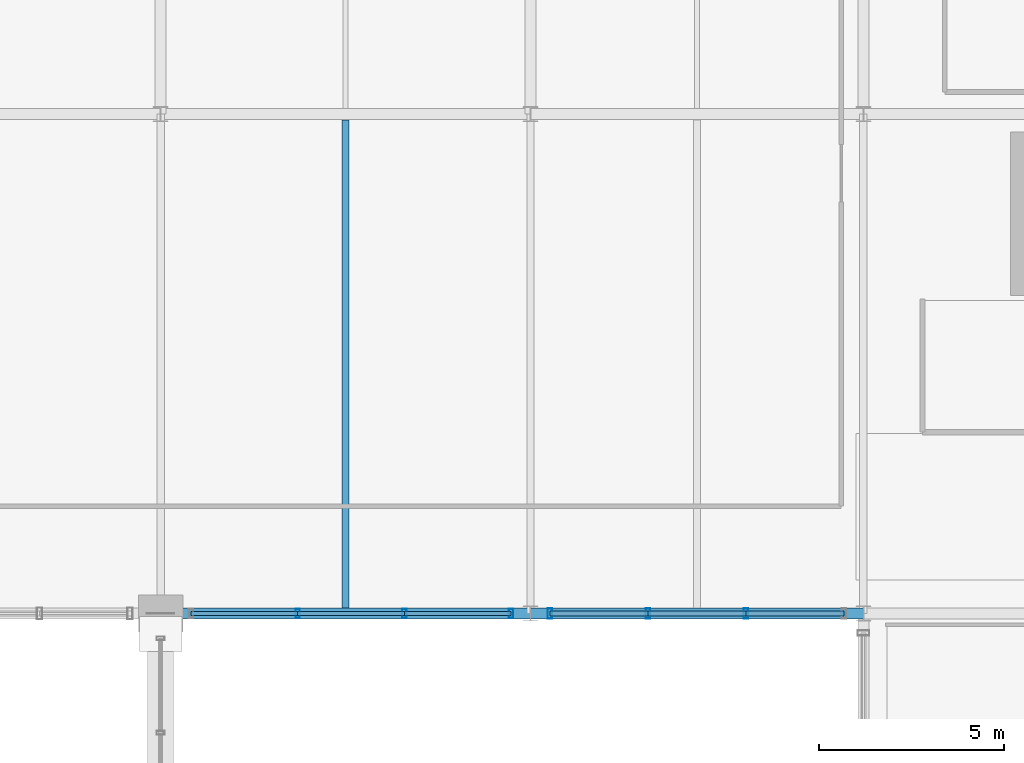
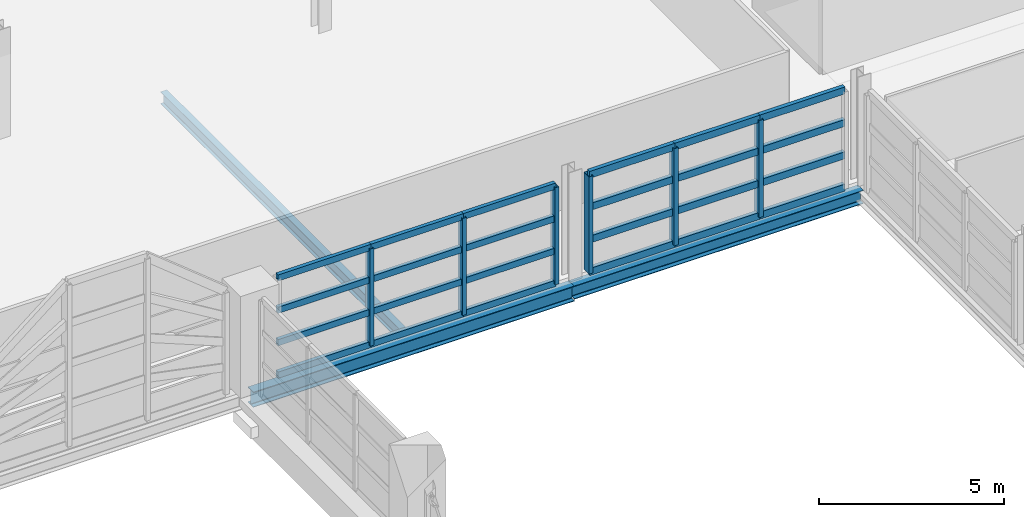
# One storey, part 74 of 116: 30 members, 3 beams, 2 elements without a shape of their own.
"""IFC4 building model written with IfcOpenShell, lengths in metres."""

from ifc_helpers import new_model, si_unit, direction, frame, origin, origin_2d, place, context, subcontext, project, spatial, hollow_rectangle, i_section, extrude, material, material_profile, profile_set, type_object, element, aggregate, save


model = new_model("IFC4")

# Units and contexts
model_context = context("Model", 3, precision=1e-05, world=origin(), true_north=direction((0.0, 1.0)))
body_context = subcontext(model_context, "Body", "Model", "MODEL_VIEW")
ifc_project = project(units=[si_unit("LENGTHUNIT", "METRE"), si_unit("AREAUNIT", "SQUARE_METRE"), si_unit("VOLUMEUNIT", "CUBIC_METRE"), si_unit("PLANEANGLEUNIT", "RADIAN"), si_unit("MASSUNIT", "GRAM", prefix="KILO")], contexts=[model_context])

# Site, building, storey
site_placement = place(None, origin())
site = spatial("IfcSite", under=ifc_project, at=site_placement, CompositionType="ELEMENT")
building_placement = place(site_placement, origin())
building = spatial("IfcBuilding", under=site, at=building_placement, Name="Chuanluo Vaults Station", CompositionType="ELEMENT")
storey_placement = place(building_placement, frame((0.0, 0.0, 10.800048828125)))
storey = spatial("IfcBuildingStorey", under=building, at=storey_placement, Name="L02", CompositionType="ELEMENT", Elevation=10.800048828125)

# Beams
ifc_material_1 = material(Name="Steel Q355C", Category="steel")
ifc_material_profile_1 = material_profile(ifc_material_1, i_section(OverallWidth=0.300048828125, OverallDepth=0.43994140625, WebThickness=0.010986328125, FlangeThickness=0.01806640625, FilletRadius=0.02001953125, at=origin_2d()))
ifc_profile_set_1 = profile_set([ifc_material_profile_1], Name="Steel Q355C")
beam_type_1 = type_object("IfcBeamType", Name="BM-GRD-450", PredefinedType="USERDEFINED", material=ifc_profile_set_1)
beam_1_placement = place(storey_placement, frame((136.0, 103.5, -0.43994140625), z_axis=(1.0, 0.0, 0.0), x_axis=(0.0, 1.0, 0.0)))
element("IfcBeam", 1, at=beam_1_placement, inside=storey, type_object=beam_type_1, Name="Floor girder BM:GX:L02:0599", ObjectType="GIRDER", PredefinedType="USERDEFINED", context=body_context, shape_type="SweptSolid", body=[
    extrude(i_section(OverallWidth=0.300048828125, OverallDepth=0.43994140625, WebThickness=0.010986328125, FlangeThickness=0.01806640625, FilletRadius=0.02001953125, at=origin_2d()), origin(), (0.0, 0.0, 1.0), 9.0),
])
ifc_material_2 = material(Name="Steel Q355C", Category="steel")
ifc_material_profile_2 = material_profile(ifc_material_2, i_section(OverallWidth=0.300048828125, OverallDepth=0.5, WebThickness=0.010986328125, FlangeThickness=0.01806640625, FilletRadius=0.02001953125, at=origin_2d()))
ifc_profile_set_2 = profile_set([ifc_material_profile_2], Name="Steel Q355C")
beam_type_2 = type_object("IfcBeamType", Name="BM-GRD-500", PredefinedType="USERDEFINED", material=ifc_profile_set_2)
beam_2_placement = place(storey_placement, frame((126.0, 103.5, -0.469970703125), z_axis=(1.0, 0.0, 0.0), x_axis=(0.0, 1.0, 0.0)))
element("IfcBeam", 2, at=beam_2_placement, inside=storey, type_object=beam_type_2, Name="Floor girder BM:GX:L02:0598", ObjectType="GIRDER", PredefinedType="USERDEFINED", context=body_context, shape_type="SweptSolid", body=[
    extrude(i_section(OverallWidth=0.300048828125, OverallDepth=0.5, WebThickness=0.010986328125, FlangeThickness=0.01806640625, FilletRadius=0.02001953125, at=origin_2d()), origin(), (0.0, 0.0, 1.0), 10.0),
])
ifc_material_3 = material(Name="Steel Q355C", Category="steel")
ifc_material_profile_3 = material_profile(ifc_material_3, i_section(OverallWidth=0.199951171875, OverallDepth=0.39990234375, WebThickness=0.008056640625, FlangeThickness=0.012939453125, FilletRadius=0.01611328125, at=origin_2d()))
ifc_profile_set_3 = profile_set([ifc_material_profile_3], Name="Steel Q355C")
beam_type_3 = type_object("IfcBeamType", Name="BM-SEC-400", PredefinedType="BEAM", material=ifc_profile_set_3)
beam_3_placement = place(storey_placement, frame((131.0, 103.655029296875, -0.420166015625), z_axis=(0.0, 1.0, 0.0), x_axis=(-1.0, 0.0, 0.0)))
element("IfcBeam", 3, at=beam_3_placement, inside=storey, type_object=beam_type_3, Name="Composite secondary joist 0191", PredefinedType="BEAM", context=body_context, shape_type="SweptSolid", body=[
    extrude(i_section(OverallWidth=0.199951171875, OverallDepth=0.39990234375, WebThickness=0.008056640625, FlangeThickness=0.012939453125, FilletRadius=0.01611328125, at=origin_2d()), origin(), (0.0, 0.0, 1.0), 13.18994140625),
])

# Curtain wall, members
ifc_material_4 = material(Name="Anodised aluminium 6063-T6", Category="aluminium")
curtain_wall_type_1 = type_object("IfcCurtainWallType", Name="CW-SYS-07", PredefinedType="NOTDEFINED", material=ifc_material_4)
curtain_wall_1_placement = place(storey_placement, origin())
curtain_wall_1 = element("IfcCurtainWall", 4, at=curtain_wall_1_placement, inside=storey, type_object=curtain_wall_type_1, Name="Operations L02 facade CW part 2", PredefinedType="NOTDEFINED")
ifc_material_5 = material(Name="Anodised aluminium 6063-T6", Category="aluminium")
ifc_material_profile_4 = material_profile(ifc_material_5, hollow_rectangle(XDim=0.1201171875, YDim=0.25, WallThickness=0.006103515625, at=origin_2d()))
ifc_profile_set_4 = profile_set([ifc_material_profile_4], Name="Anodised aluminium 6063-T6")
member_type_1 = type_object("IfcMemberType", Name="CWM-160", PredefinedType="MULLION", material=ifc_profile_set_4)
member_1_placement = place(storey_placement, frame((135.47509765625, 103.5, 0.0), z_axis=(0.0, 0.0, 1.0), x_axis=(-1.0, 0.0, 0.0)))
member_1 = element("IfcMember", 5, at=member_1_placement, type_object=member_type_1, Name="Operations L02 facade CW part 2 mullion 1", PredefinedType="MULLION", context=body_context, shape_type="SweptSolid", body=[
    extrude(hollow_rectangle(XDim=0.1201171875, YDim=0.25, WallThickness=0.006103515625, at=origin_2d()), origin(), (0.0, 0.0, 1.0), 3.199951171875),
])
member_2_placement = place(storey_placement, frame((132.591796875, 103.5, 0.0), z_axis=(0.0, 0.0, 1.0), x_axis=(-1.0, 0.0, 0.0)))
member_2 = element("IfcMember", 6, at=member_2_placement, type_object=member_type_1, Name="Operations L02 facade CW part 2 mullion 2", PredefinedType="MULLION", context=body_context, shape_type="SweptSolid", body=[
    extrude(hollow_rectangle(XDim=0.1201171875, YDim=0.25, WallThickness=0.006103515625, at=origin_2d()), origin(), (0.0, 0.0, 1.0), 3.199951171875),
])
member_3_placement = place(storey_placement, frame((129.708251953125, 103.5, 0.0), z_axis=(0.0, 0.0, 1.0), x_axis=(-1.0, 0.0, 0.0)))
member_3 = element("IfcMember", 7, at=member_3_placement, type_object=member_type_1, Name="Operations L02 facade CW part 2 mullion 3", PredefinedType="MULLION", context=body_context, shape_type="SweptSolid", body=[
    extrude(hollow_rectangle(XDim=0.1201171875, YDim=0.25, WallThickness=0.006103515625, at=origin_2d()), origin(), (0.0, 0.0, 1.0), 3.199951171875),
])

ifc_material_6 = material(Name="Anodised aluminium 6063-T6", Category="aluminium")
curtain_wall_type_2 = type_object("IfcCurtainWallType", Name="CW-SYS-06", PredefinedType="NOTDEFINED", material=ifc_material_6)
curtain_wall_2_placement = place(storey_placement, origin())
curtain_wall_2 = element("IfcCurtainWall", 8, at=curtain_wall_2_placement, inside=storey, type_object=curtain_wall_type_2, Name="Operations L02 facade CW part 1", PredefinedType="NOTDEFINED")
ifc_material_7 = material(Name="Anodised aluminium 6063-T6", Category="aluminium")
ifc_material_profile_5 = material_profile(ifc_material_7, hollow_rectangle(XDim=0.1298828125, YDim=0.280029296875, WallThickness=0.007080078125, at=origin_2d()))
ifc_profile_set_5 = profile_set([ifc_material_profile_5], Name="Anodised aluminium 6063-T6")
member_type_2 = type_object("IfcMemberType", Name="CWM-180", PredefinedType="MULLION", material=ifc_profile_set_5)
member_4_placement = place(storey_placement, frame((141.824951171875, 103.5, 0.0), z_axis=(0.0, 0.0, 1.0), x_axis=(-1.0, 0.0, 0.0)))
member_4 = element("IfcMember", 9, at=member_4_placement, type_object=member_type_2, Name="Operations L02 facade CW part 1 mullion 2", PredefinedType="MULLION", context=body_context, shape_type="SweptSolid", body=[
    extrude(hollow_rectangle(XDim=0.1298828125, YDim=0.280029296875, WallThickness=0.007080078125, at=origin_2d()), origin(), (0.0, 0.0, 1.0), 3.199951171875),
])
member_5_placement = place(storey_placement, frame((139.175048828125, 103.5, 0.0), z_axis=(0.0, 0.0, 1.0), x_axis=(-1.0, 0.0, 0.0)))
member_5 = element("IfcMember", 10, at=member_5_placement, type_object=member_type_2, Name="Operations L02 facade CW part 1 mullion 3", PredefinedType="MULLION", context=body_context, shape_type="SweptSolid", body=[
    extrude(hollow_rectangle(XDim=0.1298828125, YDim=0.280029296875, WallThickness=0.007080078125, at=origin_2d()), origin(), (0.0, 0.0, 1.0), 3.199951171875),
])
member_6_placement = place(storey_placement, frame((136.52490234375, 103.5, 0.0), z_axis=(0.0, 0.0, 1.0), x_axis=(-1.0, 0.0, 0.0)))
member_6 = element("IfcMember", 11, at=member_6_placement, type_object=member_type_2, Name="Operations L02 facade CW part 1 mullion 4", PredefinedType="MULLION", context=body_context, shape_type="SweptSolid", body=[
    extrude(hollow_rectangle(XDim=0.1298828125, YDim=0.280029296875, WallThickness=0.007080078125, at=origin_2d()), origin(), (0.0, 0.0, 1.0), 3.199951171875),
])

# Member
ifc_material_8 = material(Name="Anodised aluminium 6063-T6", Category="aluminium")
ifc_material_profile_6 = material_profile(ifc_material_8, hollow_rectangle(XDim=0.1201171875, YDim=0.205078125, WallThickness=0.006103515625, at=origin_2d()))
ifc_profile_set_6 = profile_set([ifc_material_profile_6], Name="Anodised aluminium 6063-T6")
member_type_3 = type_object("IfcMemberType", Name="CWT-130", PredefinedType="USERDEFINED", material=ifc_profile_set_6)
member_7_placement = place(storey_placement, frame((135.47509765625, 103.5, 0.0), z_axis=(-1.0, 0.0, 0.0), x_axis=(0.0, -1.0, 0.0)))
member_7 = element("IfcMember", 12, at=member_7_placement, type_object=member_type_3, Name="Operations L02 facade CW part 2 transom 1.1", ObjectType="TRANSOM", PredefinedType="USERDEFINED", context=body_context, shape_type="SweptSolid", body=[
    extrude(hollow_rectangle(XDim=0.1201171875, YDim=0.205078125, WallThickness=0.006103515625, at=origin_2d()), origin(), (0.0, 0.0, 1.0), 2.88330078125),
])

member_8_placement = place(storey_placement, frame((135.47509765625, 103.5, 1.066650390625), z_axis=(-1.0, 0.0, 0.0), x_axis=(0.0, -1.0, 0.0)))
member_8 = element("IfcMember", 13, at=member_8_placement, type_object=member_type_3, Name="Operations L02 facade CW part 2 transom 1.2", ObjectType="TRANSOM", PredefinedType="USERDEFINED", context=body_context, shape_type="SweptSolid", body=[
    extrude(hollow_rectangle(XDim=0.1201171875, YDim=0.205078125, WallThickness=0.006103515625, at=origin_2d()), origin(), (0.0, 0.0, 1.0), 2.88330078125),
])

member_9_placement = place(storey_placement, frame((135.47509765625, 103.5, 2.13330078125), z_axis=(-1.0, 0.0, 0.0), x_axis=(0.0, -1.0, 0.0)))
member_9 = element("IfcMember", 14, at=member_9_placement, type_object=member_type_3, Name="Operations L02 facade CW part 2 transom 1.3", ObjectType="TRANSOM", PredefinedType="USERDEFINED", context=body_context, shape_type="SweptSolid", body=[
    extrude(hollow_rectangle(XDim=0.1201171875, YDim=0.205078125, WallThickness=0.006103515625, at=origin_2d()), origin(), (0.0, 0.0, 1.0), 2.88330078125),
])

member_10_placement = place(storey_placement, frame((135.47509765625, 103.5, 3.199951171875), z_axis=(-1.0, 0.0, 0.0), x_axis=(0.0, -1.0, 0.0)))
member_10 = element("IfcMember", 15, at=member_10_placement, type_object=member_type_3, Name="Operations L02 facade CW part 2 transom 1.4", ObjectType="TRANSOM", PredefinedType="USERDEFINED", context=body_context, shape_type="SweptSolid", body=[
    extrude(hollow_rectangle(XDim=0.1201171875, YDim=0.205078125, WallThickness=0.006103515625, at=origin_2d()), origin(), (0.0, 0.0, 1.0), 2.88330078125),
])

member_11_placement = place(storey_placement, frame((132.591796875, 103.5, 0.0), z_axis=(-1.0, 0.0, 0.0), x_axis=(0.0, -1.0, 0.0)))
member_11 = element("IfcMember", 16, at=member_11_placement, type_object=member_type_3, Name="Operations L02 facade CW part 2 transom 2.1", ObjectType="TRANSOM", PredefinedType="USERDEFINED", context=body_context, shape_type="SweptSolid", body=[
    extrude(hollow_rectangle(XDim=0.1201171875, YDim=0.205078125, WallThickness=0.006103515625, at=origin_2d()), origin(), (0.0, 0.0, 1.0), 2.883544921875),
])

member_12_placement = place(storey_placement, frame((132.591796875, 103.5, 1.066650390625), z_axis=(-1.0, 0.0, 0.0), x_axis=(0.0, -1.0, 0.0)))
member_12 = element("IfcMember", 17, at=member_12_placement, type_object=member_type_3, Name="Operations L02 facade CW part 2 transom 2.2", ObjectType="TRANSOM", PredefinedType="USERDEFINED", context=body_context, shape_type="SweptSolid", body=[
    extrude(hollow_rectangle(XDim=0.1201171875, YDim=0.205078125, WallThickness=0.006103515625, at=origin_2d()), origin(), (0.0, 0.0, 1.0), 2.883544921875),
])

member_13_placement = place(storey_placement, frame((132.591796875, 103.5, 2.13330078125), z_axis=(-1.0, 0.0, 0.0), x_axis=(0.0, -1.0, 0.0)))
member_13 = element("IfcMember", 18, at=member_13_placement, type_object=member_type_3, Name="Operations L02 facade CW part 2 transom 2.3", ObjectType="TRANSOM", PredefinedType="USERDEFINED", context=body_context, shape_type="SweptSolid", body=[
    extrude(hollow_rectangle(XDim=0.1201171875, YDim=0.205078125, WallThickness=0.006103515625, at=origin_2d()), origin(), (0.0, 0.0, 1.0), 2.883544921875),
])

member_14_placement = place(storey_placement, frame((132.591796875, 103.5, 3.199951171875), z_axis=(-1.0, 0.0, 0.0), x_axis=(0.0, -1.0, 0.0)))
member_14 = element("IfcMember", 19, at=member_14_placement, type_object=member_type_3, Name="Operations L02 facade CW part 2 transom 2.4", ObjectType="TRANSOM", PredefinedType="USERDEFINED", context=body_context, shape_type="SweptSolid", body=[
    extrude(hollow_rectangle(XDim=0.1201171875, YDim=0.205078125, WallThickness=0.006103515625, at=origin_2d()), origin(), (0.0, 0.0, 1.0), 2.883544921875),
])

member_15_placement = place(storey_placement, frame((129.708251953125, 103.5, 0.0), z_axis=(-1.0, 0.0, 0.0), x_axis=(0.0, -1.0, 0.0)))
member_15 = element("IfcMember", 20, at=member_15_placement, type_object=member_type_3, Name="Operations L02 facade CW part 2 transom 3.1", ObjectType="TRANSOM", PredefinedType="USERDEFINED", context=body_context, shape_type="SweptSolid", body=[
    extrude(hollow_rectangle(XDim=0.1201171875, YDim=0.205078125, WallThickness=0.006103515625, at=origin_2d()), origin(), (0.0, 0.0, 1.0), 2.88330078125),
])

member_16_placement = place(storey_placement, frame((129.708251953125, 103.5, 1.066650390625), z_axis=(-1.0, 0.0, 0.0), x_axis=(0.0, -1.0, 0.0)))
member_16 = element("IfcMember", 21, at=member_16_placement, type_object=member_type_3, Name="Operations L02 facade CW part 2 transom 3.2", ObjectType="TRANSOM", PredefinedType="USERDEFINED", context=body_context, shape_type="SweptSolid", body=[
    extrude(hollow_rectangle(XDim=0.1201171875, YDim=0.205078125, WallThickness=0.006103515625, at=origin_2d()), origin(), (0.0, 0.0, 1.0), 2.88330078125),
])

member_17_placement = place(storey_placement, frame((129.708251953125, 103.5, 2.13330078125), z_axis=(-1.0, 0.0, 0.0), x_axis=(0.0, -1.0, 0.0)))
member_17 = element("IfcMember", 22, at=member_17_placement, type_object=member_type_3, Name="Operations L02 facade CW part 2 transom 3.3", ObjectType="TRANSOM", PredefinedType="USERDEFINED", context=body_context, shape_type="SweptSolid", body=[
    extrude(hollow_rectangle(XDim=0.1201171875, YDim=0.205078125, WallThickness=0.006103515625, at=origin_2d()), origin(), (0.0, 0.0, 1.0), 2.88330078125),
])

member_18_placement = place(storey_placement, frame((129.708251953125, 103.5, 3.199951171875), z_axis=(-1.0, 0.0, 0.0), x_axis=(0.0, -1.0, 0.0)))
member_18 = element("IfcMember", 23, at=member_18_placement, type_object=member_type_3, Name="Operations L02 facade CW part 2 transom 3.4", ObjectType="TRANSOM", PredefinedType="USERDEFINED", context=body_context, shape_type="SweptSolid", body=[
    extrude(hollow_rectangle(XDim=0.1201171875, YDim=0.205078125, WallThickness=0.006103515625, at=origin_2d()), origin(), (0.0, 0.0, 1.0), 2.88330078125),
])

aggregate(curtain_wall_1, [member_1, member_2, member_3, member_7, member_8, member_9, member_10, member_11, member_12, member_13, member_14, member_15, member_16, member_17, member_18])

ifc_material_9 = material(Name="Anodised aluminium 6063-T6", Category="aluminium")
ifc_material_profile_7 = material_profile(ifc_material_9, hollow_rectangle(XDim=0.1298828125, YDim=0.22998046875, WallThickness=0.006103515625, at=origin_2d()))
ifc_profile_set_7 = profile_set([ifc_material_profile_7], Name="Anodised aluminium 6063-T6")
member_type_4 = type_object("IfcMemberType", Name="CWT-150", PredefinedType="USERDEFINED", material=ifc_profile_set_7)
member_19_placement = place(storey_placement, frame((144.47509765625, 103.5, 0.0), z_axis=(-1.0, 0.0, 0.0), x_axis=(0.0, -1.0, 0.0)))
member_19 = element("IfcMember", 24, at=member_19_placement, type_object=member_type_4, Name="Operations L02 facade CW part 1 transom 1.1", ObjectType="TRANSOM", PredefinedType="USERDEFINED", context=body_context, shape_type="SweptSolid", body=[
    extrude(hollow_rectangle(XDim=0.1298828125, YDim=0.22998046875, WallThickness=0.006103515625, at=origin_2d()), origin(), (0.0, 0.0, 1.0), 2.650146484375),
])

member_20_placement = place(storey_placement, frame((144.47509765625, 103.5, 1.066650390625), z_axis=(-1.0, 0.0, 0.0), x_axis=(0.0, -1.0, 0.0)))
member_20 = element("IfcMember", 25, at=member_20_placement, type_object=member_type_4, Name="Operations L02 facade CW part 1 transom 1.2", ObjectType="TRANSOM", PredefinedType="USERDEFINED", context=body_context, shape_type="SweptSolid", body=[
    extrude(hollow_rectangle(XDim=0.1298828125, YDim=0.22998046875, WallThickness=0.006103515625, at=origin_2d()), origin(), (0.0, 0.0, 1.0), 2.650146484375),
])

member_21_placement = place(storey_placement, frame((144.47509765625, 103.5, 2.13330078125), z_axis=(-1.0, 0.0, 0.0), x_axis=(0.0, -1.0, 0.0)))
member_21 = element("IfcMember", 26, at=member_21_placement, type_object=member_type_4, Name="Operations L02 facade CW part 1 transom 1.3", ObjectType="TRANSOM", PredefinedType="USERDEFINED", context=body_context, shape_type="SweptSolid", body=[
    extrude(hollow_rectangle(XDim=0.1298828125, YDim=0.22998046875, WallThickness=0.006103515625, at=origin_2d()), origin(), (0.0, 0.0, 1.0), 2.650146484375),
])

member_22_placement = place(storey_placement, frame((144.47509765625, 103.5, 3.199951171875), z_axis=(-1.0, 0.0, 0.0), x_axis=(0.0, -1.0, 0.0)))
member_22 = element("IfcMember", 27, at=member_22_placement, type_object=member_type_4, Name="Operations L02 facade CW part 1 transom 1.4", ObjectType="TRANSOM", PredefinedType="USERDEFINED", context=body_context, shape_type="SweptSolid", body=[
    extrude(hollow_rectangle(XDim=0.1298828125, YDim=0.22998046875, WallThickness=0.006103515625, at=origin_2d()), origin(), (0.0, 0.0, 1.0), 2.650146484375),
])

member_23_placement = place(storey_placement, frame((141.824951171875, 103.5, 0.0), z_axis=(-1.0, 0.0, 0.0), x_axis=(0.0, -1.0, 0.0)))
member_23 = element("IfcMember", 28, at=member_23_placement, type_object=member_type_4, Name="Operations L02 facade CW part 1 transom 2.1", ObjectType="TRANSOM", PredefinedType="USERDEFINED", context=body_context, shape_type="SweptSolid", body=[
    extrude(hollow_rectangle(XDim=0.1298828125, YDim=0.22998046875, WallThickness=0.006103515625, at=origin_2d()), origin(), (0.0, 0.0, 1.0), 2.64990234375),
])

member_24_placement = place(storey_placement, frame((141.824951171875, 103.5, 1.066650390625), z_axis=(-1.0, 0.0, 0.0), x_axis=(0.0, -1.0, 0.0)))
member_24 = element("IfcMember", 29, at=member_24_placement, type_object=member_type_4, Name="Operations L02 facade CW part 1 transom 2.2", ObjectType="TRANSOM", PredefinedType="USERDEFINED", context=body_context, shape_type="SweptSolid", body=[
    extrude(hollow_rectangle(XDim=0.1298828125, YDim=0.22998046875, WallThickness=0.006103515625, at=origin_2d()), origin(), (0.0, 0.0, 1.0), 2.64990234375),
])

member_25_placement = place(storey_placement, frame((141.824951171875, 103.5, 2.13330078125), z_axis=(-1.0, 0.0, 0.0), x_axis=(0.0, -1.0, 0.0)))
member_25 = element("IfcMember", 30, at=member_25_placement, type_object=member_type_4, Name="Operations L02 facade CW part 1 transom 2.3", ObjectType="TRANSOM", PredefinedType="USERDEFINED", context=body_context, shape_type="SweptSolid", body=[
    extrude(hollow_rectangle(XDim=0.1298828125, YDim=0.22998046875, WallThickness=0.006103515625, at=origin_2d()), origin(), (0.0, 0.0, 1.0), 2.64990234375),
])

member_26_placement = place(storey_placement, frame((141.824951171875, 103.5, 3.199951171875), z_axis=(-1.0, 0.0, 0.0), x_axis=(0.0, -1.0, 0.0)))
member_26 = element("IfcMember", 31, at=member_26_placement, type_object=member_type_4, Name="Operations L02 facade CW part 1 transom 2.4", ObjectType="TRANSOM", PredefinedType="USERDEFINED", context=body_context, shape_type="SweptSolid", body=[
    extrude(hollow_rectangle(XDim=0.1298828125, YDim=0.22998046875, WallThickness=0.006103515625, at=origin_2d()), origin(), (0.0, 0.0, 1.0), 2.64990234375),
])

member_27_placement = place(storey_placement, frame((139.175048828125, 103.5, 0.0), z_axis=(-1.0, 0.0, 0.0), x_axis=(0.0, -1.0, 0.0)))
member_27 = element("IfcMember", 32, at=member_27_placement, type_object=member_type_4, Name="Operations L02 facade CW part 1 transom 3.1", ObjectType="TRANSOM", PredefinedType="USERDEFINED", context=body_context, shape_type="SweptSolid", body=[
    extrude(hollow_rectangle(XDim=0.1298828125, YDim=0.22998046875, WallThickness=0.006103515625, at=origin_2d()), origin(), (0.0, 0.0, 1.0), 2.650146484375),
])

member_28_placement = place(storey_placement, frame((139.175048828125, 103.5, 1.066650390625), z_axis=(-1.0, 0.0, 0.0), x_axis=(0.0, -1.0, 0.0)))
member_28 = element("IfcMember", 33, at=member_28_placement, type_object=member_type_4, Name="Operations L02 facade CW part 1 transom 3.2", ObjectType="TRANSOM", PredefinedType="USERDEFINED", context=body_context, shape_type="SweptSolid", body=[
    extrude(hollow_rectangle(XDim=0.1298828125, YDim=0.22998046875, WallThickness=0.006103515625, at=origin_2d()), origin(), (0.0, 0.0, 1.0), 2.650146484375),
])

member_29_placement = place(storey_placement, frame((139.175048828125, 103.5, 2.13330078125), z_axis=(-1.0, 0.0, 0.0), x_axis=(0.0, -1.0, 0.0)))
member_29 = element("IfcMember", 34, at=member_29_placement, type_object=member_type_4, Name="Operations L02 facade CW part 1 transom 3.3", ObjectType="TRANSOM", PredefinedType="USERDEFINED", context=body_context, shape_type="SweptSolid", body=[
    extrude(hollow_rectangle(XDim=0.1298828125, YDim=0.22998046875, WallThickness=0.006103515625, at=origin_2d()), origin(), (0.0, 0.0, 1.0), 2.650146484375),
])

member_30_placement = place(storey_placement, frame((139.175048828125, 103.5, 3.199951171875), z_axis=(-1.0, 0.0, 0.0), x_axis=(0.0, -1.0, 0.0)))
member_30 = element("IfcMember", 35, at=member_30_placement, type_object=member_type_4, Name="Operations L02 facade CW part 1 transom 3.4", ObjectType="TRANSOM", PredefinedType="USERDEFINED", context=body_context, shape_type="SweptSolid", body=[
    extrude(hollow_rectangle(XDim=0.1298828125, YDim=0.22998046875, WallThickness=0.006103515625, at=origin_2d()), origin(), (0.0, 0.0, 1.0), 2.650146484375),
])

aggregate(curtain_wall_2, [member_4, member_5, member_6, member_19, member_20, member_21, member_22, member_23, member_24, member_25, member_26, member_27, member_28, member_29, member_30])

save(model, "model.ifc")
